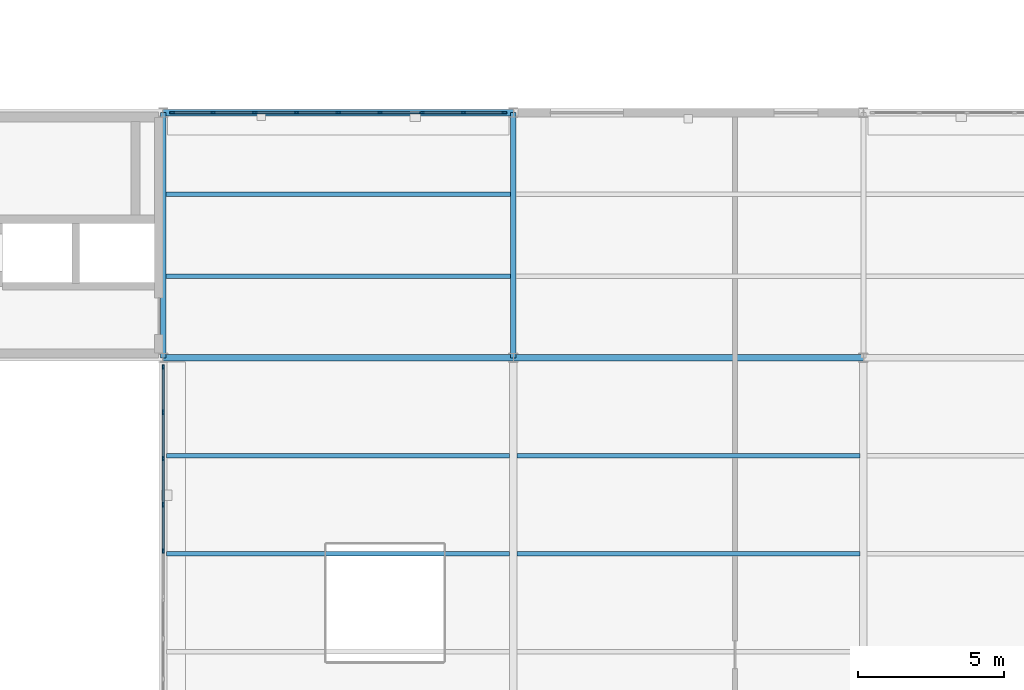
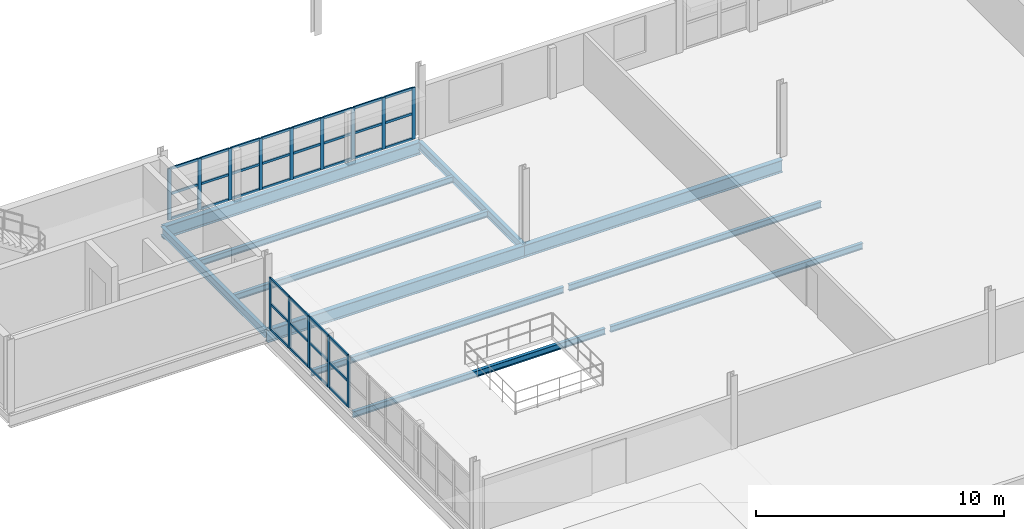
# One storey, part 41 of 79: 50 members, 11 beams, 2 elements without a shape of their own.
"""IFC4 building model written with IfcOpenShell, lengths in metres."""

from ifc_helpers import new_model, si_unit, direction, frame, origin, origin_2d, place, context, subcontext, project, spatial, rectangle, i_section, extrude, material, layer, layer_set, material_profile, profile_set, type_object, element, aggregate, save


model = new_model("IFC4")

# Units and contexts
model_context = context("Model", 3, precision=1e-05, world=origin(), true_north=direction((0.0, 1.0)))
body_context = subcontext(model_context, "Body", "Model", "MODEL_VIEW")
ifc_project = project(units=[si_unit("LENGTHUNIT", "METRE"), si_unit("AREAUNIT", "SQUARE_METRE"), si_unit("VOLUMEUNIT", "CUBIC_METRE"), si_unit("PLANEANGLEUNIT", "RADIAN"), si_unit("MASSUNIT", "GRAM", prefix="KILO"), si_unit("THERMODYNAMICTEMPERATUREUNIT", "KELVIN"), si_unit("POWERUNIT", "WATT")], contexts=[model_context])

# Site, building, storey
site_placement = place(None, origin())
site = spatial("IfcSite", under=ifc_project, at=site_placement, CompositionType="ELEMENT")
building_placement = place(site_placement, origin())
building = spatial("IfcBuilding", under=site, at=building_placement, Name="Tembeka Court Mobility Hub", CompositionType="ELEMENT")
storey_placement = place(building_placement, frame((0.0, 0.0, 9.0)))
storey = spatial("IfcBuildingStorey", under=building, at=storey_placement, Name="L02", CompositionType="ELEMENT", Elevation=9.0)

# Beams
ifc_material_1 = material(Name="Steel S355", Category="steel")
ifc_material_profile_1 = material_profile(ifc_material_1, i_section(OverallWidth=0.177978515625, OverallDepth=0.406005859375, WebThickness=0.0078125, FlangeThickness=0.0126953125, FilletRadius=0.01025390625, at=origin_2d()), Name="UKB 406x178x60")
ifc_profile_set_1 = profile_set([ifc_material_profile_1], Name="Steel S355")
beam_type_1 = type_object("IfcBeamType", Name="BM-B02", PredefinedType="BEAM", material=ifc_profile_set_1)
for number, where, z_axis, x_axis, name in (
    (1, (128.39990234375, 38.39990234375, -0.39306640625), (0.0, 1.0, 0.0), (-1.0, 0.0, 0.0), "Beam B02 (BM-L02-Y1418)"),
    (2, (140.39990234375, 38.39990234375, -0.39306640625), (0.0, 1.0, 0.0), (-1.0, 0.0, 0.0), "Beam B02 (BM-L02-Y1422)"),
):
    element("IfcBeam", number, at=place(storey_placement, frame(where, z_axis=z_axis, x_axis=x_axis)), inside=storey, type_object=beam_type_1, Name=name, PredefinedType="BEAM", context=body_context, shape_type="SweptSolid", body=[
        extrude(i_section(OverallWidth=0.177978515625, OverallDepth=0.406005859375, WebThickness=0.0078125, FlangeThickness=0.0126953125, FilletRadius=0.01025390625, at=origin_2d()), origin(), (0.0, 0.0, 1.0), 8.400146484375),
    ])
ifc_material_profile_2 = material_profile(ifc_material_1, i_section(OverallWidth=0.22900390625, OverallDepth=0.612060546875, WebThickness=0.011962890625, FlangeThickness=0.01953125, FilletRadius=0.0126953125, at=origin_2d()), Name="UKB 610x229x125")
ifc_profile_set_2 = profile_set([ifc_material_profile_2], Name="Steel S355")
beam_type_2 = type_object("IfcBeamType", Name="BM-G02", PredefinedType="USERDEFINED", material=ifc_profile_set_2)
for number, where, z_axis, x_axis, name in (
    (3, (128.39990234375, 38.39990234375, -0.49609375), (1.0, 0.0, 0.0), (0.0, 1.0, 0.0), "Beam G02 (BM-L02-X1221)"),
    (4, (140.39990234375, 38.39990234375, -0.49609375), (1.0, 0.0, 0.0), (0.0, 1.0, 0.0), "Beam G02 (BM-L02-X1222)"),
    (5, (128.39990234375, 46.800048828125, -0.49609375), (1.0, 0.0, 0.0), (0.0, 1.0, 0.0), "Beam G02 (BM-L02-X1235)"),
):
    element("IfcBeam", number, at=place(storey_placement, frame(where, z_axis=z_axis, x_axis=x_axis)), inside=storey, type_object=beam_type_2, Name=name, ObjectType="GIRDER", PredefinedType="USERDEFINED", context=body_context, shape_type="SweptSolid", body=[
        extrude(i_section(OverallWidth=0.22900390625, OverallDepth=0.612060546875, WebThickness=0.011962890625, FlangeThickness=0.01953125, FilletRadius=0.0126953125, at=origin_2d()), origin(), (0.0, 0.0, 1.0), 12.0),
    ])
ifc_material_profile_3 = material_profile(ifc_material_1, i_section(OverallWidth=0.14990234375, OverallDepth=0.300048828125, WebThickness=0.007080078125, FlangeThickness=0.0107421875, FilletRadius=0.014892578125, at=origin_2d()), Name="IPE 300")
ifc_profile_set_3 = profile_set([ifc_material_profile_3], Name="Steel S355")
beam_type_3 = type_object("IfcBeamType", Name="BM-J04", PredefinedType="JOIST", material=ifc_profile_set_3)
for number, where, z_axis, x_axis, name in (
    (6, (128.52197265625, 31.679931640625, -0.340087890625), (1.0, 0.0, 0.0), (0.0, 1.0, 0.0), "Beam J04 (JST-L02-1645)"),
    (7, (128.52197265625, 35.0400390625, -0.340087890625), (1.0, 0.0, 0.0), (0.0, 1.0, 0.0), "Beam J04 (JST-L02-1646)"),
):
    element("IfcBeam", number, at=place(storey_placement, frame(where, z_axis=z_axis, x_axis=x_axis)), inside=storey, type_object=beam_type_3, Name=name, PredefinedType="JOIST", context=body_context, shape_type="SweptSolid", body=[
        extrude(i_section(OverallWidth=0.14990234375, OverallDepth=0.300048828125, WebThickness=0.007080078125, FlangeThickness=0.0107421875, FilletRadius=0.014892578125, at=origin_2d()), origin(), (0.0, 0.0, 1.0), 11.756103515625),
    ])
for number, where, z_axis, x_axis, name in (
    (8, (128.48388671875, 41.199951171875, -0.340087890625), (1.0, 0.0, 0.0), (0.0, 1.0, 0.0), "Beam J04 (JST-L02-1647)"),
    (9, (128.48388671875, 44.0, -0.340087890625), (1.0, 0.0, 0.0), (0.0, 1.0, 0.0), "Beam J04 (JST-L02-1648)"),
):
    element("IfcBeam", number, at=place(storey_placement, frame(where, z_axis=z_axis, x_axis=x_axis)), inside=storey, type_object=beam_type_3, Name=name, PredefinedType="JOIST", context=body_context, shape_type="SweptSolid", body=[
        extrude(i_section(OverallWidth=0.14990234375, OverallDepth=0.300048828125, WebThickness=0.007080078125, FlangeThickness=0.0107421875, FilletRadius=0.014892578125, at=origin_2d()), origin(), (0.0, 0.0, 1.0), 11.83203125),
    ])
for number, where, z_axis, x_axis, name in (
    (10, (140.52197265625, 31.679931640625, -0.340087890625), (1.0, 0.0, 0.0), (0.0, 1.0, 0.0), "Beam J04 (JST-L02-1655)"),
    (11, (140.52197265625, 35.0400390625, -0.340087890625), (1.0, 0.0, 0.0), (0.0, 1.0, 0.0), "Beam J04 (JST-L02-1656)"),
):
    element("IfcBeam", number, at=place(storey_placement, frame(where, z_axis=z_axis, x_axis=x_axis)), inside=storey, type_object=beam_type_3, Name=name, PredefinedType="JOIST", context=body_context, shape_type="SweptSolid", body=[
        extrude(i_section(OverallWidth=0.14990234375, OverallDepth=0.300048828125, WebThickness=0.007080078125, FlangeThickness=0.0107421875, FilletRadius=0.014892578125, at=origin_2d()), origin(), (0.0, 0.0, 1.0), 11.756103515625),
    ])

# Curtain wall, members
ifc_material_2 = material(Name="Anodised aluminium 6063-T6", Category="aluminium")
ifc_layer_1 = layer(ifc_material_2, 0.159912109375)
ifc_layer_set_1 = layer_set([ifc_layer_1], Name="Anodised aluminium 6063-T6")
curtain_wall_type_1 = type_object("IfcCurtainWallType", Name="CW-SYS41", PredefinedType="USERDEFINED", material=ifc_layer_set_1)
curtain_wall_1_placement = place(storey_placement, origin())
curtain_wall_1 = element("IfcCurtainWall", 12, at=curtain_wall_1_placement, inside=storey, type_object=curtain_wall_type_1, Name="Unitised curtain wall CW41 (CW-L02-128)", ObjectType="UNITISED GLAZING", PredefinedType="USERDEFINED")
ifc_material_profile_4 = material_profile(ifc_material_2, rectangle(XDim=0.06494140625, YDim=0.159912109375, at=origin_2d()), Name="ALU-MUL 65x160")
ifc_profile_set_4 = profile_set([ifc_material_profile_4], Name="Anodised aluminium 6063-T6")
member_type_1 = type_object("IfcMemberType", Name="CW-MUL01", PredefinedType="MULLION", material=ifc_profile_set_4)
member_1_placement = place(storey_placement, frame((128.71240234375, 46.800048828125, 0.0), z_axis=(0.0, 0.0, 1.0), x_axis=(0.0, 1.0, 0.0)))
member_1 = element("IfcMember", 13, at=member_1_placement, type_object=member_type_1, Name="CW41 mullion 1", PredefinedType="MULLION", context=body_context, shape_type="SweptSolid", body=[
    extrude(rectangle(XDim=0.06494140625, YDim=0.159912109375, at=origin_2d()), origin(), (0.0, 0.0, 1.0), 2.534912109375),
])
member_2_placement = place(storey_placement, frame((130.110107421875, 46.800048828125, 0.0), z_axis=(0.0, 0.0, 1.0), x_axis=(0.0, 1.0, 0.0)))
member_2 = element("IfcMember", 14, at=member_2_placement, type_object=member_type_1, Name="CW41 mullion 2", PredefinedType="MULLION", context=body_context, shape_type="SweptSolid", body=[
    extrude(rectangle(XDim=0.06494140625, YDim=0.159912109375, at=origin_2d()), origin(), (0.0, 0.0, 1.0), 2.534912109375),
])
member_3_placement = place(storey_placement, frame((131.5400390625, 46.800048828125, 0.0), z_axis=(0.0, 0.0, 1.0), x_axis=(0.0, 1.0, 0.0)))
member_3 = element("IfcMember", 15, at=member_3_placement, type_object=member_type_1, Name="CW41 mullion 3", PredefinedType="MULLION", context=body_context, shape_type="SweptSolid", body=[
    extrude(rectangle(XDim=0.06494140625, YDim=0.159912109375, at=origin_2d()), origin(), (0.0, 0.0, 1.0), 2.534912109375),
])
member_4_placement = place(storey_placement, frame((132.969970703125, 46.800048828125, 0.0), z_axis=(0.0, 0.0, 1.0), x_axis=(0.0, 1.0, 0.0)))
member_4 = element("IfcMember", 16, at=member_4_placement, type_object=member_type_1, Name="CW41 mullion 4", PredefinedType="MULLION", context=body_context, shape_type="SweptSolid", body=[
    extrude(rectangle(XDim=0.06494140625, YDim=0.159912109375, at=origin_2d()), origin(), (0.0, 0.0, 1.0), 2.534912109375),
])
member_5_placement = place(storey_placement, frame((134.39990234375, 46.800048828125, 0.0), z_axis=(0.0, 0.0, 1.0), x_axis=(0.0, 1.0, 0.0)))
member_5 = element("IfcMember", 17, at=member_5_placement, type_object=member_type_1, Name="CW41 mullion 5", PredefinedType="MULLION", context=body_context, shape_type="SweptSolid", body=[
    extrude(rectangle(XDim=0.06494140625, YDim=0.159912109375, at=origin_2d()), origin(), (0.0, 0.0, 1.0), 2.534912109375),
])
member_6_placement = place(storey_placement, frame((135.830078125, 46.800048828125, 0.0), z_axis=(0.0, 0.0, 1.0), x_axis=(0.0, 1.0, 0.0)))
member_6 = element("IfcMember", 18, at=member_6_placement, type_object=member_type_1, Name="CW41 mullion 6", PredefinedType="MULLION", context=body_context, shape_type="SweptSolid", body=[
    extrude(rectangle(XDim=0.06494140625, YDim=0.159912109375, at=origin_2d()), origin(), (0.0, 0.0, 1.0), 2.534912109375),
])
member_7_placement = place(storey_placement, frame((137.260009765625, 46.800048828125, 0.0), z_axis=(0.0, 0.0, 1.0), x_axis=(0.0, 1.0, 0.0)))
member_7 = element("IfcMember", 19, at=member_7_placement, type_object=member_type_1, Name="CW41 mullion 7", PredefinedType="MULLION", context=body_context, shape_type="SweptSolid", body=[
    extrude(rectangle(XDim=0.06494140625, YDim=0.159912109375, at=origin_2d()), origin(), (0.0, 0.0, 1.0), 2.534912109375),
])
member_8_placement = place(storey_placement, frame((138.68994140625, 46.800048828125, 0.0), z_axis=(0.0, 0.0, 1.0), x_axis=(0.0, 1.0, 0.0)))
member_8 = element("IfcMember", 20, at=member_8_placement, type_object=member_type_1, Name="CW41 mullion 8", PredefinedType="MULLION", context=body_context, shape_type="SweptSolid", body=[
    extrude(rectangle(XDim=0.06494140625, YDim=0.159912109375, at=origin_2d()), origin(), (0.0, 0.0, 1.0), 2.534912109375),
])
member_9_placement = place(storey_placement, frame((140.08740234375, 46.800048828125, 0.0), z_axis=(0.0, 0.0, 1.0), x_axis=(0.0, 1.0, 0.0)))
member_9 = element("IfcMember", 21, at=member_9_placement, type_object=member_type_1, Name="CW41 mullion 9", PredefinedType="MULLION", context=body_context, shape_type="SweptSolid", body=[
    extrude(rectangle(XDim=0.06494140625, YDim=0.159912109375, at=origin_2d()), origin(), (0.0, 0.0, 1.0), 2.534912109375),
])

ifc_layer_2 = layer(ifc_material_2, 0.159912109375)
ifc_layer_set_2 = layer_set([ifc_layer_2], Name="Anodised aluminium 6063-T6")
curtain_wall_type_2 = type_object("IfcCurtainWallType", Name="CW-SYS54", PredefinedType="USERDEFINED", material=ifc_layer_set_2)
curtain_wall_2_placement = place(storey_placement, origin())
curtain_wall_2 = element("IfcCurtainWall", 22, at=curtain_wall_2_placement, inside=storey, type_object=curtain_wall_type_2, Name="Unitised curtain wall CW54 (CW-L02-132)", ObjectType="UNITISED GLAZING", PredefinedType="USERDEFINED")
member_10_placement = place(storey_placement, frame((128.39990234375, 31.7744140625, 0.0), z_axis=(0.0, 0.0, 1.0), x_axis=(-1.0, 0.0, 0.0)))
member_10 = element("IfcMember", 23, at=member_10_placement, type_object=member_type_1, Name="CW54 mullion 2", PredefinedType="MULLION", context=body_context, shape_type="SweptSolid", body=[
    extrude(rectangle(XDim=0.06494140625, YDim=0.159912109375, at=origin_2d()), origin(), (0.0, 0.0, 1.0), 2.534912109375),
])
member_11_placement = place(storey_placement, frame((128.39990234375, 33.36083984375, 0.0), z_axis=(0.0, 0.0, 1.0), x_axis=(-1.0, 0.0, 0.0)))
member_11 = element("IfcMember", 24, at=member_11_placement, type_object=member_type_1, Name="CW54 mullion 3", PredefinedType="MULLION", context=body_context, shape_type="SweptSolid", body=[
    extrude(rectangle(XDim=0.06494140625, YDim=0.159912109375, at=origin_2d()), origin(), (0.0, 0.0, 1.0), 2.534912109375),
])
member_12_placement = place(storey_placement, frame((128.39990234375, 34.947265625, 0.0), z_axis=(0.0, 0.0, 1.0), x_axis=(-1.0, 0.0, 0.0)))
member_12 = element("IfcMember", 25, at=member_12_placement, type_object=member_type_1, Name="CW54 mullion 4", PredefinedType="MULLION", context=body_context, shape_type="SweptSolid", body=[
    extrude(rectangle(XDim=0.06494140625, YDim=0.159912109375, at=origin_2d()), origin(), (0.0, 0.0, 1.0), 2.534912109375),
])
member_13_placement = place(storey_placement, frame((128.39990234375, 36.53369140625, 0.0), z_axis=(0.0, 0.0, 1.0), x_axis=(-1.0, 0.0, 0.0)))
member_13 = element("IfcMember", 26, at=member_13_placement, type_object=member_type_1, Name="CW54 mullion 5", PredefinedType="MULLION", context=body_context, shape_type="SweptSolid", body=[
    extrude(rectangle(XDim=0.06494140625, YDim=0.159912109375, at=origin_2d()), origin(), (0.0, 0.0, 1.0), 2.534912109375),
])
member_14_placement = place(storey_placement, frame((128.39990234375, 38.08740234375, 0.0), z_axis=(0.0, 0.0, 1.0), x_axis=(-1.0, 0.0, 0.0)))
member_14 = element("IfcMember", 27, at=member_14_placement, type_object=member_type_1, Name="CW54 mullion 6", PredefinedType="MULLION", context=body_context, shape_type="SweptSolid", body=[
    extrude(rectangle(XDim=0.06494140625, YDim=0.159912109375, at=origin_2d()), origin(), (0.0, 0.0, 1.0), 2.534912109375),
])

# Member
ifc_material_profile_5 = material_profile(ifc_material_2, rectangle(XDim=0.06494140625, YDim=0.1201171875, at=origin_2d()), Name="ALU-TRN 65x120")
ifc_profile_set_5 = profile_set([ifc_material_profile_5], Name="Anodised aluminium 6063-T6")
member_type_2 = type_object("IfcMemberType", Name="CW-TRN01", PredefinedType="USERDEFINED", material=ifc_profile_set_5)
member_15_placement = place(storey_placement, frame((128.7451171875, 46.800048828125, 0.032470703125), z_axis=(1.0, 0.0, 0.0), x_axis=(0.0, 1.0, 0.0)))
member_15 = element("IfcMember", 28, at=member_15_placement, type_object=member_type_2, Name="CW41 transom 1.1", ObjectType="TRANSOM", PredefinedType="USERDEFINED", context=body_context, shape_type="SweptSolid", body=[
    extrude(rectangle(XDim=0.06494140625, YDim=0.1201171875, at=origin_2d()), origin(), (0.0, 0.0, 1.0), 1.332275390625),
])

member_16_placement = place(storey_placement, frame((128.7451171875, 46.800048828125, 1.267578125), z_axis=(1.0, 0.0, 0.0), x_axis=(0.0, 1.0, 0.0)))
member_16 = element("IfcMember", 29, at=member_16_placement, type_object=member_type_2, Name="CW41 transom 1.2", ObjectType="TRANSOM", PredefinedType="USERDEFINED", context=body_context, shape_type="SweptSolid", body=[
    extrude(rectangle(XDim=0.06494140625, YDim=0.1201171875, at=origin_2d()), origin(), (0.0, 0.0, 1.0), 1.332275390625),
])

member_17_placement = place(storey_placement, frame((128.7451171875, 46.800048828125, 2.50244140625), z_axis=(1.0, 0.0, 0.0), x_axis=(0.0, 1.0, 0.0)))
member_17 = element("IfcMember", 30, at=member_17_placement, type_object=member_type_2, Name="CW41 transom 1.3", ObjectType="TRANSOM", PredefinedType="USERDEFINED", context=body_context, shape_type="SweptSolid", body=[
    extrude(rectangle(XDim=0.06494140625, YDim=0.1201171875, at=origin_2d()), origin(), (0.0, 0.0, 1.0), 1.332275390625),
])

member_18_placement = place(storey_placement, frame((130.142578125, 46.800048828125, 0.032470703125), z_axis=(1.0, 0.0, 0.0), x_axis=(0.0, 1.0, 0.0)))
member_18 = element("IfcMember", 31, at=member_18_placement, type_object=member_type_2, Name="CW41 transom 2.1", ObjectType="TRANSOM", PredefinedType="USERDEFINED", context=body_context, shape_type="SweptSolid", body=[
    extrude(rectangle(XDim=0.06494140625, YDim=0.1201171875, at=origin_2d()), origin(), (0.0, 0.0, 1.0), 1.364990234375),
])

member_19_placement = place(storey_placement, frame((130.142578125, 46.800048828125, 1.267578125), z_axis=(1.0, 0.0, 0.0), x_axis=(0.0, 1.0, 0.0)))
member_19 = element("IfcMember", 32, at=member_19_placement, type_object=member_type_2, Name="CW41 transom 2.2", ObjectType="TRANSOM", PredefinedType="USERDEFINED", context=body_context, shape_type="SweptSolid", body=[
    extrude(rectangle(XDim=0.06494140625, YDim=0.1201171875, at=origin_2d()), origin(), (0.0, 0.0, 1.0), 1.364990234375),
])

member_20_placement = place(storey_placement, frame((130.142578125, 46.800048828125, 2.50244140625), z_axis=(1.0, 0.0, 0.0), x_axis=(0.0, 1.0, 0.0)))
member_20 = element("IfcMember", 33, at=member_20_placement, type_object=member_type_2, Name="CW41 transom 2.3", ObjectType="TRANSOM", PredefinedType="USERDEFINED", context=body_context, shape_type="SweptSolid", body=[
    extrude(rectangle(XDim=0.06494140625, YDim=0.1201171875, at=origin_2d()), origin(), (0.0, 0.0, 1.0), 1.364990234375),
])

member_21_placement = place(storey_placement, frame((131.572509765625, 46.800048828125, 0.032470703125), z_axis=(1.0, 0.0, 0.0), x_axis=(0.0, 1.0, 0.0)))
member_21 = element("IfcMember", 34, at=member_21_placement, type_object=member_type_2, Name="CW41 transom 3.1", ObjectType="TRANSOM", PredefinedType="USERDEFINED", context=body_context, shape_type="SweptSolid", body=[
    extrude(rectangle(XDim=0.06494140625, YDim=0.1201171875, at=origin_2d()), origin(), (0.0, 0.0, 1.0), 1.364990234375),
])

member_22_placement = place(storey_placement, frame((131.572509765625, 46.800048828125, 1.267578125), z_axis=(1.0, 0.0, 0.0), x_axis=(0.0, 1.0, 0.0)))
member_22 = element("IfcMember", 35, at=member_22_placement, type_object=member_type_2, Name="CW41 transom 3.2", ObjectType="TRANSOM", PredefinedType="USERDEFINED", context=body_context, shape_type="SweptSolid", body=[
    extrude(rectangle(XDim=0.06494140625, YDim=0.1201171875, at=origin_2d()), origin(), (0.0, 0.0, 1.0), 1.364990234375),
])

member_23_placement = place(storey_placement, frame((131.572509765625, 46.800048828125, 2.50244140625), z_axis=(1.0, 0.0, 0.0), x_axis=(0.0, 1.0, 0.0)))
member_23 = element("IfcMember", 36, at=member_23_placement, type_object=member_type_2, Name="CW41 transom 3.3", ObjectType="TRANSOM", PredefinedType="USERDEFINED", context=body_context, shape_type="SweptSolid", body=[
    extrude(rectangle(XDim=0.06494140625, YDim=0.1201171875, at=origin_2d()), origin(), (0.0, 0.0, 1.0), 1.364990234375),
])

member_24_placement = place(storey_placement, frame((133.00244140625, 46.800048828125, 0.032470703125), z_axis=(1.0, 0.0, 0.0), x_axis=(0.0, 1.0, 0.0)))
member_24 = element("IfcMember", 37, at=member_24_placement, type_object=member_type_2, Name="CW41 transom 4.1", ObjectType="TRANSOM", PredefinedType="USERDEFINED", context=body_context, shape_type="SweptSolid", body=[
    extrude(rectangle(XDim=0.06494140625, YDim=0.1201171875, at=origin_2d()), origin(), (0.0, 0.0, 1.0), 1.364990234375),
])

member_25_placement = place(storey_placement, frame((133.00244140625, 46.800048828125, 1.267578125), z_axis=(1.0, 0.0, 0.0), x_axis=(0.0, 1.0, 0.0)))
member_25 = element("IfcMember", 38, at=member_25_placement, type_object=member_type_2, Name="CW41 transom 4.2", ObjectType="TRANSOM", PredefinedType="USERDEFINED", context=body_context, shape_type="SweptSolid", body=[
    extrude(rectangle(XDim=0.06494140625, YDim=0.1201171875, at=origin_2d()), origin(), (0.0, 0.0, 1.0), 1.364990234375),
])

member_26_placement = place(storey_placement, frame((133.00244140625, 46.800048828125, 2.50244140625), z_axis=(1.0, 0.0, 0.0), x_axis=(0.0, 1.0, 0.0)))
member_26 = element("IfcMember", 39, at=member_26_placement, type_object=member_type_2, Name="CW41 transom 4.3", ObjectType="TRANSOM", PredefinedType="USERDEFINED", context=body_context, shape_type="SweptSolid", body=[
    extrude(rectangle(XDim=0.06494140625, YDim=0.1201171875, at=origin_2d()), origin(), (0.0, 0.0, 1.0), 1.364990234375),
])

member_27_placement = place(storey_placement, frame((134.4326171875, 46.800048828125, 0.032470703125), z_axis=(1.0, 0.0, 0.0), x_axis=(0.0, 1.0, 0.0)))
member_27 = element("IfcMember", 40, at=member_27_placement, type_object=member_type_2, Name="CW41 transom 5.1", ObjectType="TRANSOM", PredefinedType="USERDEFINED", context=body_context, shape_type="SweptSolid", body=[
    extrude(rectangle(XDim=0.06494140625, YDim=0.1201171875, at=origin_2d()), origin(), (0.0, 0.0, 1.0), 1.364990234375),
])

member_28_placement = place(storey_placement, frame((134.4326171875, 46.800048828125, 1.267578125), z_axis=(1.0, 0.0, 0.0), x_axis=(0.0, 1.0, 0.0)))
member_28 = element("IfcMember", 41, at=member_28_placement, type_object=member_type_2, Name="CW41 transom 5.2", ObjectType="TRANSOM", PredefinedType="USERDEFINED", context=body_context, shape_type="SweptSolid", body=[
    extrude(rectangle(XDim=0.06494140625, YDim=0.1201171875, at=origin_2d()), origin(), (0.0, 0.0, 1.0), 1.364990234375),
])

member_29_placement = place(storey_placement, frame((134.4326171875, 46.800048828125, 2.50244140625), z_axis=(1.0, 0.0, 0.0), x_axis=(0.0, 1.0, 0.0)))
member_29 = element("IfcMember", 42, at=member_29_placement, type_object=member_type_2, Name="CW41 transom 5.3", ObjectType="TRANSOM", PredefinedType="USERDEFINED", context=body_context, shape_type="SweptSolid", body=[
    extrude(rectangle(XDim=0.06494140625, YDim=0.1201171875, at=origin_2d()), origin(), (0.0, 0.0, 1.0), 1.364990234375),
])

member_30_placement = place(storey_placement, frame((135.862548828125, 46.800048828125, 0.032470703125), z_axis=(1.0, 0.0, 0.0), x_axis=(0.0, 1.0, 0.0)))
member_30 = element("IfcMember", 43, at=member_30_placement, type_object=member_type_2, Name="CW41 transom 6.1", ObjectType="TRANSOM", PredefinedType="USERDEFINED", context=body_context, shape_type="SweptSolid", body=[
    extrude(rectangle(XDim=0.06494140625, YDim=0.1201171875, at=origin_2d()), origin(), (0.0, 0.0, 1.0), 1.364990234375),
])

member_31_placement = place(storey_placement, frame((135.862548828125, 46.800048828125, 1.267578125), z_axis=(1.0, 0.0, 0.0), x_axis=(0.0, 1.0, 0.0)))
member_31 = element("IfcMember", 44, at=member_31_placement, type_object=member_type_2, Name="CW41 transom 6.2", ObjectType="TRANSOM", PredefinedType="USERDEFINED", context=body_context, shape_type="SweptSolid", body=[
    extrude(rectangle(XDim=0.06494140625, YDim=0.1201171875, at=origin_2d()), origin(), (0.0, 0.0, 1.0), 1.364990234375),
])

member_32_placement = place(storey_placement, frame((135.862548828125, 46.800048828125, 2.50244140625), z_axis=(1.0, 0.0, 0.0), x_axis=(0.0, 1.0, 0.0)))
member_32 = element("IfcMember", 45, at=member_32_placement, type_object=member_type_2, Name="CW41 transom 6.3", ObjectType="TRANSOM", PredefinedType="USERDEFINED", context=body_context, shape_type="SweptSolid", body=[
    extrude(rectangle(XDim=0.06494140625, YDim=0.1201171875, at=origin_2d()), origin(), (0.0, 0.0, 1.0), 1.364990234375),
])

member_33_placement = place(storey_placement, frame((137.29248046875, 46.800048828125, 0.032470703125), z_axis=(1.0, 0.0, 0.0), x_axis=(0.0, 1.0, 0.0)))
member_33 = element("IfcMember", 46, at=member_33_placement, type_object=member_type_2, Name="CW41 transom 7.1", ObjectType="TRANSOM", PredefinedType="USERDEFINED", context=body_context, shape_type="SweptSolid", body=[
    extrude(rectangle(XDim=0.06494140625, YDim=0.1201171875, at=origin_2d()), origin(), (0.0, 0.0, 1.0), 1.364990234375),
])

member_34_placement = place(storey_placement, frame((137.29248046875, 46.800048828125, 1.267578125), z_axis=(1.0, 0.0, 0.0), x_axis=(0.0, 1.0, 0.0)))
member_34 = element("IfcMember", 47, at=member_34_placement, type_object=member_type_2, Name="CW41 transom 7.2", ObjectType="TRANSOM", PredefinedType="USERDEFINED", context=body_context, shape_type="SweptSolid", body=[
    extrude(rectangle(XDim=0.06494140625, YDim=0.1201171875, at=origin_2d()), origin(), (0.0, 0.0, 1.0), 1.364990234375),
])

member_35_placement = place(storey_placement, frame((137.29248046875, 46.800048828125, 2.50244140625), z_axis=(1.0, 0.0, 0.0), x_axis=(0.0, 1.0, 0.0)))
member_35 = element("IfcMember", 48, at=member_35_placement, type_object=member_type_2, Name="CW41 transom 7.3", ObjectType="TRANSOM", PredefinedType="USERDEFINED", context=body_context, shape_type="SweptSolid", body=[
    extrude(rectangle(XDim=0.06494140625, YDim=0.1201171875, at=origin_2d()), origin(), (0.0, 0.0, 1.0), 1.364990234375),
])

member_36_placement = place(storey_placement, frame((138.722412109375, 46.800048828125, 0.032470703125), z_axis=(1.0, 0.0, 0.0), x_axis=(0.0, 1.0, 0.0)))
member_36 = element("IfcMember", 49, at=member_36_placement, type_object=member_type_2, Name="CW41 transom 8.1", ObjectType="TRANSOM", PredefinedType="USERDEFINED", context=body_context, shape_type="SweptSolid", body=[
    extrude(rectangle(XDim=0.06494140625, YDim=0.1201171875, at=origin_2d()), origin(), (0.0, 0.0, 1.0), 1.33251953125),
])

member_37_placement = place(storey_placement, frame((138.722412109375, 46.800048828125, 1.267578125), z_axis=(1.0, 0.0, 0.0), x_axis=(0.0, 1.0, 0.0)))
member_37 = element("IfcMember", 50, at=member_37_placement, type_object=member_type_2, Name="CW41 transom 8.2", ObjectType="TRANSOM", PredefinedType="USERDEFINED", context=body_context, shape_type="SweptSolid", body=[
    extrude(rectangle(XDim=0.06494140625, YDim=0.1201171875, at=origin_2d()), origin(), (0.0, 0.0, 1.0), 1.33251953125),
])

member_38_placement = place(storey_placement, frame((138.722412109375, 46.800048828125, 2.50244140625), z_axis=(1.0, 0.0, 0.0), x_axis=(0.0, 1.0, 0.0)))
member_38 = element("IfcMember", 51, at=member_38_placement, type_object=member_type_2, Name="CW41 transom 8.3", ObjectType="TRANSOM", PredefinedType="USERDEFINED", context=body_context, shape_type="SweptSolid", body=[
    extrude(rectangle(XDim=0.06494140625, YDim=0.1201171875, at=origin_2d()), origin(), (0.0, 0.0, 1.0), 1.33251953125),
])

aggregate(curtain_wall_1, [member_1, member_2, member_3, member_4, member_5, member_6, member_7, member_8, member_9, member_15, member_16, member_17, member_18, member_19, member_20, member_21, member_22, member_23, member_24, member_25, member_26, member_27, member_28, member_29, member_30, member_31, member_32, member_33, member_34, member_35, member_36, member_37, member_38])

member_39_placement = place(storey_placement, frame((128.39990234375, 31.806884765625, 0.032470703125), z_axis=(0.0, 1.0, 0.0), x_axis=(-1.0, 0.0, 0.0)))
member_39 = element("IfcMember", 52, at=member_39_placement, type_object=member_type_2, Name="CW54 transom 2.1", ObjectType="TRANSOM", PredefinedType="USERDEFINED", context=body_context, shape_type="SweptSolid", body=[
    extrude(rectangle(XDim=0.06494140625, YDim=0.1201171875, at=origin_2d()), origin(), (0.0, 0.0, 1.0), 1.521484375),
])

member_40_placement = place(storey_placement, frame((128.39990234375, 31.806884765625, 1.267578125), z_axis=(0.0, 1.0, 0.0), x_axis=(-1.0, 0.0, 0.0)))
member_40 = element("IfcMember", 53, at=member_40_placement, type_object=member_type_2, Name="CW54 transom 2.2", ObjectType="TRANSOM", PredefinedType="USERDEFINED", context=body_context, shape_type="SweptSolid", body=[
    extrude(rectangle(XDim=0.06494140625, YDim=0.1201171875, at=origin_2d()), origin(), (0.0, 0.0, 1.0), 1.521484375),
])

member_41_placement = place(storey_placement, frame((128.39990234375, 31.806884765625, 2.50244140625), z_axis=(0.0, 1.0, 0.0), x_axis=(-1.0, 0.0, 0.0)))
member_41 = element("IfcMember", 54, at=member_41_placement, type_object=member_type_2, Name="CW54 transom 2.3", ObjectType="TRANSOM", PredefinedType="USERDEFINED", context=body_context, shape_type="SweptSolid", body=[
    extrude(rectangle(XDim=0.06494140625, YDim=0.1201171875, at=origin_2d()), origin(), (0.0, 0.0, 1.0), 1.521484375),
])

member_42_placement = place(storey_placement, frame((128.39990234375, 33.393310546875, 0.032470703125), z_axis=(0.0, 1.0, 0.0), x_axis=(-1.0, 0.0, 0.0)))
member_42 = element("IfcMember", 55, at=member_42_placement, type_object=member_type_2, Name="CW54 transom 3.1", ObjectType="TRANSOM", PredefinedType="USERDEFINED", context=body_context, shape_type="SweptSolid", body=[
    extrude(rectangle(XDim=0.06494140625, YDim=0.1201171875, at=origin_2d()), origin(), (0.0, 0.0, 1.0), 1.521484375),
])

member_43_placement = place(storey_placement, frame((128.39990234375, 33.393310546875, 1.267578125), z_axis=(0.0, 1.0, 0.0), x_axis=(-1.0, 0.0, 0.0)))
member_43 = element("IfcMember", 56, at=member_43_placement, type_object=member_type_2, Name="CW54 transom 3.2", ObjectType="TRANSOM", PredefinedType="USERDEFINED", context=body_context, shape_type="SweptSolid", body=[
    extrude(rectangle(XDim=0.06494140625, YDim=0.1201171875, at=origin_2d()), origin(), (0.0, 0.0, 1.0), 1.521484375),
])

member_44_placement = place(storey_placement, frame((128.39990234375, 33.393310546875, 2.50244140625), z_axis=(0.0, 1.0, 0.0), x_axis=(-1.0, 0.0, 0.0)))
member_44 = element("IfcMember", 57, at=member_44_placement, type_object=member_type_2, Name="CW54 transom 3.3", ObjectType="TRANSOM", PredefinedType="USERDEFINED", context=body_context, shape_type="SweptSolid", body=[
    extrude(rectangle(XDim=0.06494140625, YDim=0.1201171875, at=origin_2d()), origin(), (0.0, 0.0, 1.0), 1.521484375),
])

member_45_placement = place(storey_placement, frame((128.39990234375, 34.979736328125, 0.032470703125), z_axis=(0.0, 1.0, 0.0), x_axis=(-1.0, 0.0, 0.0)))
member_45 = element("IfcMember", 58, at=member_45_placement, type_object=member_type_2, Name="CW54 transom 4.1", ObjectType="TRANSOM", PredefinedType="USERDEFINED", context=body_context, shape_type="SweptSolid", body=[
    extrude(rectangle(XDim=0.06494140625, YDim=0.1201171875, at=origin_2d()), origin(), (0.0, 0.0, 1.0), 1.521484375),
])

member_46_placement = place(storey_placement, frame((128.39990234375, 34.979736328125, 1.267578125), z_axis=(0.0, 1.0, 0.0), x_axis=(-1.0, 0.0, 0.0)))
member_46 = element("IfcMember", 59, at=member_46_placement, type_object=member_type_2, Name="CW54 transom 4.2", ObjectType="TRANSOM", PredefinedType="USERDEFINED", context=body_context, shape_type="SweptSolid", body=[
    extrude(rectangle(XDim=0.06494140625, YDim=0.1201171875, at=origin_2d()), origin(), (0.0, 0.0, 1.0), 1.521484375),
])

member_47_placement = place(storey_placement, frame((128.39990234375, 34.979736328125, 2.50244140625), z_axis=(0.0, 1.0, 0.0), x_axis=(-1.0, 0.0, 0.0)))
member_47 = element("IfcMember", 60, at=member_47_placement, type_object=member_type_2, Name="CW54 transom 4.3", ObjectType="TRANSOM", PredefinedType="USERDEFINED", context=body_context, shape_type="SweptSolid", body=[
    extrude(rectangle(XDim=0.06494140625, YDim=0.1201171875, at=origin_2d()), origin(), (0.0, 0.0, 1.0), 1.521484375),
])

member_48_placement = place(storey_placement, frame((128.39990234375, 36.566162109375, 0.032470703125), z_axis=(0.0, 1.0, 0.0), x_axis=(-1.0, 0.0, 0.0)))
member_48 = element("IfcMember", 61, at=member_48_placement, type_object=member_type_2, Name="CW54 transom 5.1", ObjectType="TRANSOM", PredefinedType="USERDEFINED", context=body_context, shape_type="SweptSolid", body=[
    extrude(rectangle(XDim=0.06494140625, YDim=0.1201171875, at=origin_2d()), origin(), (0.0, 0.0, 1.0), 1.48876953125),
])

member_49_placement = place(storey_placement, frame((128.39990234375, 36.566162109375, 1.267578125), z_axis=(0.0, 1.0, 0.0), x_axis=(-1.0, 0.0, 0.0)))
member_49 = element("IfcMember", 62, at=member_49_placement, type_object=member_type_2, Name="CW54 transom 5.2", ObjectType="TRANSOM", PredefinedType="USERDEFINED", context=body_context, shape_type="SweptSolid", body=[
    extrude(rectangle(XDim=0.06494140625, YDim=0.1201171875, at=origin_2d()), origin(), (0.0, 0.0, 1.0), 1.48876953125),
])

member_50_placement = place(storey_placement, frame((128.39990234375, 36.566162109375, 2.50244140625), z_axis=(0.0, 1.0, 0.0), x_axis=(-1.0, 0.0, 0.0)))
member_50 = element("IfcMember", 63, at=member_50_placement, type_object=member_type_2, Name="CW54 transom 5.3", ObjectType="TRANSOM", PredefinedType="USERDEFINED", context=body_context, shape_type="SweptSolid", body=[
    extrude(rectangle(XDim=0.06494140625, YDim=0.1201171875, at=origin_2d()), origin(), (0.0, 0.0, 1.0), 1.48876953125),
])

aggregate(curtain_wall_2, [member_10, member_11, member_12, member_13, member_14, member_39, member_40, member_41, member_42, member_43, member_44, member_45, member_46, member_47, member_48, member_49, member_50])

save(model, "model.ifc")
